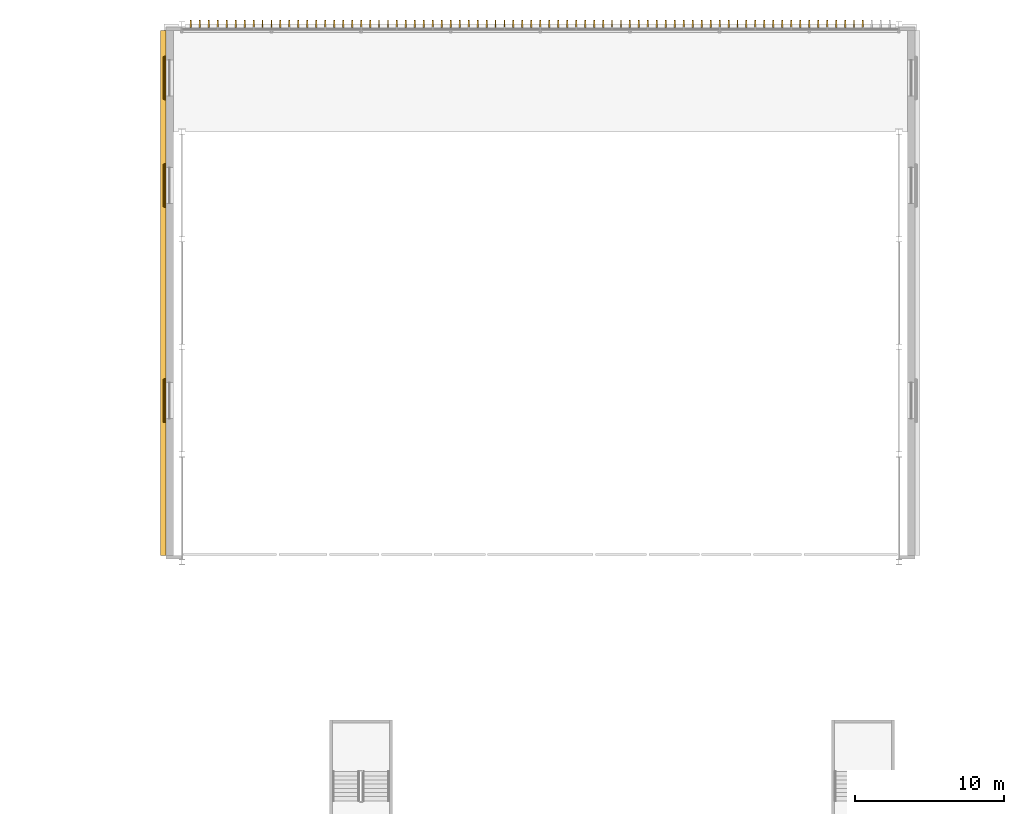
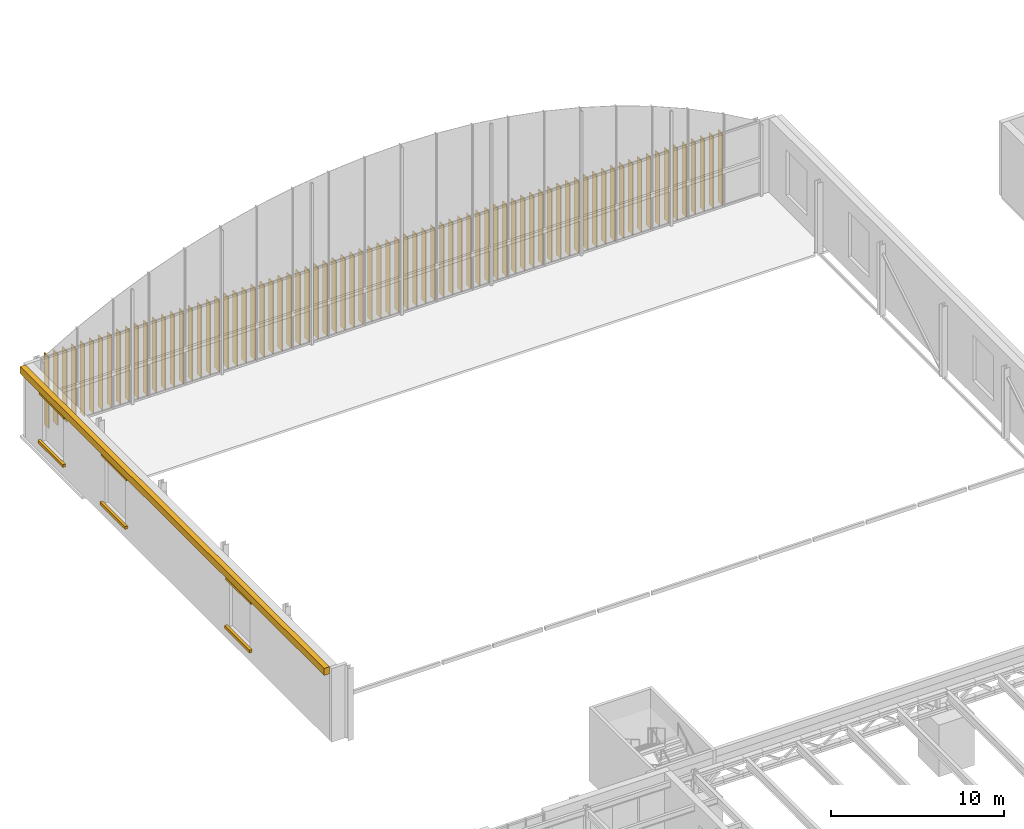
# One storey, part 85 of 93: 76 shading devices, 7 coverings.
"""IFC4 building model written with IfcOpenShell, lengths in metres."""

from ifc_helpers import new_model, si_unit, direction, frame, origin, origin_2d, place, context, subcontext, project, spatial, polyline, rectangle, outline, extrude, material, layer, layer_set, type_object, element, save


model = new_model("IFC4")

# Units and contexts
model_context = context("Model", 3, precision=1e-05, world=origin(), true_north=direction((0.0, 1.0)))
body_context = subcontext(model_context, "Body", "Model", "MODEL_VIEW")
ifc_project = project(units=[si_unit("LENGTHUNIT", "METRE"), si_unit("AREAUNIT", "SQUARE_METRE"), si_unit("VOLUMEUNIT", "CUBIC_METRE"), si_unit("PLANEANGLEUNIT", "RADIAN"), si_unit("MASSUNIT", "GRAM", prefix="KILO")], contexts=[model_context])

# Site, building, storey
site_placement = place(None, origin())
site = spatial("IfcSite", under=ifc_project, at=site_placement, CompositionType="ELEMENT")
building_placement = place(site_placement, origin())
building = spatial("IfcBuilding", under=site, at=building_placement, Name="Verrick Yard Athletic Hall", CompositionType="ELEMENT")
storey_placement = place(building_placement, frame((0.0, 0.0, 8.800048828125)))
storey = spatial("IfcBuildingStorey", under=building, at=storey_placement, Name="L02", CompositionType="ELEMENT", Elevation=8.800048828125)

# Shading devices
ifc_material_1 = material(Name="Anodised aluminium", Category="aluminium")
ifc_layer_1 = layer(ifc_material_1, 0.0625)
ifc_layer_set_1 = layer_set([ifc_layer_1], Name="Hall facade fin")
shading_device_type = type_object("IfcShadingDeviceType", Name="Hall facade fin", PredefinedType="USERDEFINED", material=ifc_layer_set_1)
for number, where, z_axis, x_axis, name in (
    (1, (28.60009765625, 107.78173828125, 0.0), (0.0, 0.0, 1.0), (0.0, 1.0, 0.0), "ENVB-HBN-FIN00"),
    (2, (29.199951171875, 107.78173828125, 0.0), (0.0, 0.0, 1.0), (0.0, 1.0, 0.0), "ENVB-HBN-FIN01"),
    (3, (29.800048828125, 107.78173828125, 0.0), (0.0, 0.0, 1.0), (0.0, 1.0, 0.0), "ENVB-HBN-FIN02"),
    (4, (30.39990234375, 107.78173828125, 0.0), (0.0, 0.0, 1.0), (0.0, 1.0, 0.0), "ENVB-HBN-FIN03"),
    (5, (31.0, 107.78173828125, 0.0), (0.0, 0.0, 1.0), (0.0, 1.0, 0.0), "ENVB-HBN-FIN04"),
    (6, (31.60009765625, 107.78173828125, 0.0), (0.0, 0.0, 1.0), (0.0, 1.0, 0.0), "ENVB-HBN-FIN05"),
    (7, (32.199951171875, 107.78173828125, 0.0), (0.0, 0.0, 1.0), (0.0, 1.0, 0.0), "ENVB-HBN-FIN06"),
    (8, (32.800048828125, 107.78173828125, 0.0), (0.0, 0.0, 1.0), (0.0, 1.0, 0.0), "ENVB-HBN-FIN07"),
    (9, (33.39990234375, 107.78173828125, 0.0), (0.0, 0.0, 1.0), (0.0, 1.0, 0.0), "ENVB-HBN-FIN08"),
    (10, (34.0, 107.78173828125, 0.0), (0.0, 0.0, 1.0), (0.0, 1.0, 0.0), "ENVB-HBN-FIN09"),
    (11, (34.60009765625, 107.78173828125, 0.0), (0.0, 0.0, 1.0), (0.0, 1.0, 0.0), "ENVB-HBN-FIN10"),
    (12, (35.199951171875, 107.78173828125, 0.0), (0.0, 0.0, 1.0), (0.0, 1.0, 0.0), "ENVB-HBN-FIN11"),
    (13, (35.800048828125, 107.78173828125, 0.0), (0.0, 0.0, 1.0), (0.0, 1.0, 0.0), "ENVB-HBN-FIN12"),
    (14, (36.39990234375, 107.78173828125, 0.0), (0.0, 0.0, 1.0), (0.0, 1.0, 0.0), "ENVB-HBN-FIN13"),
    (15, (37.0, 107.78173828125, 0.0), (0.0, 0.0, 1.0), (0.0, 1.0, 0.0), "ENVB-HBN-FIN14"),
    (16, (37.60009765625, 107.78173828125, 0.0), (0.0, 0.0, 1.0), (0.0, 1.0, 0.0), "ENVB-HBN-FIN15"),
    (17, (38.199951171875, 107.78173828125, 0.0), (0.0, 0.0, 1.0), (0.0, 1.0, 0.0), "ENVB-HBN-FIN16"),
    (18, (38.800048828125, 107.78173828125, 0.0), (0.0, 0.0, 1.0), (0.0, 1.0, 0.0), "ENVB-HBN-FIN17"),
    (19, (39.39990234375, 107.78173828125, 0.0), (0.0, 0.0, 1.0), (0.0, 1.0, 0.0), "ENVB-HBN-FIN18"),
    (20, (40.0, 107.78173828125, 0.0), (0.0, 0.0, 1.0), (0.0, 1.0, 0.0), "ENVB-HBN-FIN19"),
    (21, (40.60009765625, 107.78173828125, 0.0), (0.0, 0.0, 1.0), (0.0, 1.0, 0.0), "ENVB-HBN-FIN20"),
    (22, (41.199951171875, 107.78173828125, 0.0), (0.0, 0.0, 1.0), (0.0, 1.0, 0.0), "ENVB-HBN-FIN21"),
    (23, (41.800048828125, 107.78173828125, 0.0), (0.0, 0.0, 1.0), (0.0, 1.0, 0.0), "ENVB-HBN-FIN22"),
    (24, (42.39990234375, 107.78173828125, 0.0), (0.0, 0.0, 1.0), (0.0, 1.0, 0.0), "ENVB-HBN-FIN23"),
    (25, (43.0, 107.78173828125, 0.0), (0.0, 0.0, 1.0), (0.0, 1.0, 0.0), "ENVB-HBN-FIN24"),
    (26, (43.60009765625, 107.78173828125, 0.0), (0.0, 0.0, 1.0), (0.0, 1.0, 0.0), "ENVB-HBN-FIN25"),
    (27, (44.199951171875, 107.78173828125, 0.0), (0.0, 0.0, 1.0), (0.0, 1.0, 0.0), "ENVB-HBN-FIN26"),
    (28, (44.800048828125, 107.78173828125, 0.0), (0.0, 0.0, 1.0), (0.0, 1.0, 0.0), "ENVB-HBN-FIN27"),
    (29, (45.39990234375, 107.78173828125, 0.0), (0.0, 0.0, 1.0), (0.0, 1.0, 0.0), "ENVB-HBN-FIN28"),
    (30, (46.0, 107.78173828125, 0.0), (0.0, 0.0, 1.0), (0.0, 1.0, 0.0), "ENVB-HBN-FIN29"),
    (31, (46.60009765625, 107.78173828125, 0.0), (0.0, 0.0, 1.0), (0.0, 1.0, 0.0), "ENVB-HBN-FIN30"),
    (32, (47.199951171875, 107.78173828125, 0.0), (0.0, 0.0, 1.0), (0.0, 1.0, 0.0), "ENVB-HBN-FIN31"),
    (33, (47.800048828125, 107.78173828125, 0.0), (0.0, 0.0, 1.0), (0.0, 1.0, 0.0), "ENVB-HBN-FIN32"),
    (34, (48.39990234375, 107.78173828125, 0.0), (0.0, 0.0, 1.0), (0.0, 1.0, 0.0), "ENVB-HBN-FIN33"),
    (35, (49.0, 107.78173828125, 0.0), (0.0, 0.0, 1.0), (0.0, 1.0, 0.0), "ENVB-HBN-FIN34"),
    (36, (49.60009765625, 107.78173828125, 0.0), (0.0, 0.0, 1.0), (0.0, 1.0, 0.0), "ENVB-HBN-FIN35"),
    (37, (50.199951171875, 107.78173828125, 0.0), (0.0, 0.0, 1.0), (0.0, 1.0, 0.0), "ENVB-HBN-FIN36"),
    (38, (50.800048828125, 107.78173828125, 0.0), (0.0, 0.0, 1.0), (0.0, 1.0, 0.0), "ENVB-HBN-FIN37"),
    (39, (51.39990234375, 107.78173828125, 0.0), (0.0, 0.0, 1.0), (0.0, 1.0, 0.0), "ENVB-HBN-FIN38"),
    (40, (52.0, 107.78173828125, 0.0), (0.0, 0.0, 1.0), (0.0, 1.0, 0.0), "ENVB-HBN-FIN39"),
    (41, (52.60009765625, 107.78173828125, 0.0), (0.0, 0.0, 1.0), (0.0, 1.0, 0.0), "ENVB-HBN-FIN40"),
    (42, (53.199951171875, 107.78173828125, 0.0), (0.0, 0.0, 1.0), (0.0, 1.0, 0.0), "ENVB-HBN-FIN41"),
    (43, (53.800048828125, 107.78173828125, 0.0), (0.0, 0.0, 1.0), (0.0, 1.0, 0.0), "ENVB-HBN-FIN42"),
    (44, (54.39990234375, 107.78173828125, 0.0), (0.0, 0.0, 1.0), (0.0, 1.0, 0.0), "ENVB-HBN-FIN43"),
    (45, (55.0, 107.78173828125, 0.0), (0.0, 0.0, 1.0), (0.0, 1.0, 0.0), "ENVB-HBN-FIN44"),
    (46, (55.60009765625, 107.78173828125, 0.0), (0.0, 0.0, 1.0), (0.0, 1.0, 0.0), "ENVB-HBN-FIN45"),
    (47, (56.199951171875, 107.78173828125, 0.0), (0.0, 0.0, 1.0), (0.0, 1.0, 0.0), "ENVB-HBN-FIN46"),
    (48, (56.800048828125, 107.78173828125, 0.0), (0.0, 0.0, 1.0), (0.0, 1.0, 0.0), "ENVB-HBN-FIN47"),
    (49, (57.39990234375, 107.78173828125, 0.0), (0.0, 0.0, 1.0), (0.0, 1.0, 0.0), "ENVB-HBN-FIN48"),
    (50, (58.0, 107.78173828125, 0.0), (0.0, 0.0, 1.0), (0.0, 1.0, 0.0), "ENVB-HBN-FIN49"),
    (51, (58.60009765625, 107.78173828125, 0.0), (0.0, 0.0, 1.0), (0.0, 1.0, 0.0), "ENVB-HBN-FIN50"),
    (52, (59.199951171875, 107.78173828125, 0.0), (0.0, 0.0, 1.0), (0.0, 1.0, 0.0), "ENVB-HBN-FIN51"),
    (53, (59.800048828125, 107.78173828125, 0.0), (0.0, 0.0, 1.0), (0.0, 1.0, 0.0), "ENVB-HBN-FIN52"),
    (54, (60.39990234375, 107.78173828125, 0.0), (0.0, 0.0, 1.0), (0.0, 1.0, 0.0), "ENVB-HBN-FIN53"),
    (55, (61.0, 107.78173828125, 0.0), (0.0, 0.0, 1.0), (0.0, 1.0, 0.0), "ENVB-HBN-FIN54"),
    (56, (61.60009765625, 107.78173828125, 0.0), (0.0, 0.0, 1.0), (0.0, 1.0, 0.0), "ENVB-HBN-FIN55"),
    (57, (62.199951171875, 107.78173828125, 0.0), (0.0, 0.0, 1.0), (0.0, 1.0, 0.0), "ENVB-HBN-FIN56"),
    (58, (62.800048828125, 107.78173828125, 0.0), (0.0, 0.0, 1.0), (0.0, 1.0, 0.0), "ENVB-HBN-FIN57"),
    (59, (63.39990234375, 107.78173828125, 0.0), (0.0, 0.0, 1.0), (0.0, 1.0, 0.0), "ENVB-HBN-FIN58"),
    (60, (64.0, 107.78173828125, 0.0), (0.0, 0.0, 1.0), (0.0, 1.0, 0.0), "ENVB-HBN-FIN59"),
    (61, (64.60009765625, 107.78173828125, 0.0), (0.0, 0.0, 1.0), (0.0, 1.0, 0.0), "ENVB-HBN-FIN60"),
    (62, (65.199951171875, 107.78173828125, 0.0), (0.0, 0.0, 1.0), (0.0, 1.0, 0.0), "ENVB-HBN-FIN61"),
    (63, (65.800048828125, 107.78173828125, 0.0), (0.0, 0.0, 1.0), (0.0, 1.0, 0.0), "ENVB-HBN-FIN62"),
    (64, (66.39990234375, 107.78173828125, 0.0), (0.0, 0.0, 1.0), (0.0, 1.0, 0.0), "ENVB-HBN-FIN63"),
    (65, (67.0, 107.78173828125, 0.0), (0.0, 0.0, 1.0), (0.0, 1.0, 0.0), "ENVB-HBN-FIN64"),
    (66, (67.60009765625, 107.78173828125, 0.0), (0.0, 0.0, 1.0), (0.0, 1.0, 0.0), "ENVB-HBN-FIN65"),
    (67, (68.199951171875, 107.78173828125, 0.0), (0.0, 0.0, 1.0), (0.0, 1.0, 0.0), "ENVB-HBN-FIN66"),
    (68, (68.800048828125, 107.78173828125, 0.0), (0.0, 0.0, 1.0), (0.0, 1.0, 0.0), "ENVB-HBN-FIN67"),
    (69, (69.39990234375, 107.78173828125, 0.0), (0.0, 0.0, 1.0), (0.0, 1.0, 0.0), "ENVB-HBN-FIN68"),
    (70, (70.0, 107.78173828125, 0.0), (0.0, 0.0, 1.0), (0.0, 1.0, 0.0), "ENVB-HBN-FIN69"),
    (71, (70.60009765625, 107.78173828125, 0.0), (0.0, 0.0, 1.0), (0.0, 1.0, 0.0), "ENVB-HBN-FIN70"),
    (72, (71.199951171875, 107.78173828125, 0.0), (0.0, 0.0, 1.0), (0.0, 1.0, 0.0), "ENVB-HBN-FIN71"),
    (73, (71.800048828125, 107.78173828125, 0.0), (0.0, 0.0, 1.0), (0.0, 1.0, 0.0), "ENVB-HBN-FIN72"),
    (74, (72.39990234375, 107.78173828125, 0.0), (0.0, 0.0, 1.0), (0.0, 1.0, 0.0), "ENVB-HBN-FIN73"),
    (75, (73.0, 107.78173828125, 0.0), (0.0, 0.0, 1.0), (0.0, 1.0, 0.0), "ENVB-HBN-FIN74"),
    (76, (73.60009765625, 107.78173828125, 0.0), (0.0, 0.0, 1.0), (0.0, 1.0, 0.0), "ENVB-HBN-FIN75"),
):
    element("IfcShadingDevice", number, at=place(storey_placement, frame(where, z_axis=z_axis, x_axis=x_axis)), inside=storey, type_object=shading_device_type, Name=name, ObjectType="FIN", PredefinedType="USERDEFINED", context=body_context, shape_type="SweptSolid", body=[
        extrude(outline(polyline([(0.0, 0.0), (0.5, 0.0), (0.5, 5.050048828125), (0.0, 5.050048828125), (0.0, 0.0)])), frame((0.0, 0.03125, 0.0), z_axis=(0.0, -1.0, 0.0), x_axis=(1.0, 0.0, 0.0)), (0.0, 0.0, 1.0), 0.0625),
    ])

# Coverings
ifc_material_2 = material(Name="Tyndall-stone-look precast cladding", Category="masonry")
ifc_layer_2 = layer(ifc_material_2, 0.25)
ifc_layer_set_2 = layer_set([ifc_layer_2], Name="Stone moulding")
covering_type = type_object("IfcCoveringType", Name="Stone moulding", PredefinedType="MOLDING", material=ifc_layer_set_2)
covering_1_placement = place(storey_placement, frame((26.75, 90.0, 4.699951171875), z_axis=(0.0, 0.0, 1.0), x_axis=(0.0, 1.0, 0.0)))
element("IfcCovering", 77, at=covering_1_placement, inside=storey, type_object=covering_type, Name="Cornice", PredefinedType="MOLDING", context=body_context, shape_type="SweptSolid", body=[
    extrude(rectangle(XDim=35.163330078125, YDim=0.35009765625, at=origin_2d()), origin(), (0.0, 0.0, 1.0), 0.5),
])
covering_2_placement = place(storey_placement, frame((26.8349609375, 82.80078125, 0.7998046875), z_axis=(0.0, 0.0, 1.0), x_axis=(0.0, 1.0, 0.0)))
element("IfcCovering", 78, at=covering_2_placement, inside=storey, type_object=covering_type, Name="Window sill", PredefinedType="MOLDING", context=body_context, shape_type="SweptSolid", body=[
    extrude(rectangle(XDim=2.89990234375, YDim=0.179931640625, at=origin_2d()), origin(), (0.0, 0.0, 1.0), 0.199951171875),
])
covering_3_placement = place(storey_placement, frame((26.875, 82.80078125, 4.19970703125), z_axis=(0.0, 0.0, 1.0), x_axis=(0.0, 1.0, 0.0)))
element("IfcCovering", 79, at=covering_3_placement, inside=storey, type_object=covering_type, Name="Window head", PredefinedType="MOLDING", context=body_context, shape_type="SweptSolid", body=[
    extrude(rectangle(XDim=2.89990234375, YDim=0.10009765625, at=origin_2d()), origin(), (0.0, 0.0, 1.0), 0.300048828125),
])
covering_4_placement = place(storey_placement, frame((26.8349609375, 97.200927734375, 0.7998046875), z_axis=(0.0, 0.0, 1.0), x_axis=(0.0, 1.0, 0.0)))
element("IfcCovering", 80, at=covering_4_placement, inside=storey, type_object=covering_type, Name="Window sill", PredefinedType="MOLDING", context=body_context, shape_type="SweptSolid", body=[
    extrude(rectangle(XDim=2.89990234375, YDim=0.179931640625, at=origin_2d()), origin(), (0.0, 0.0, 1.0), 0.199951171875),
])
covering_5_placement = place(storey_placement, frame((26.875, 97.200927734375, 4.19970703125), z_axis=(0.0, 0.0, 1.0), x_axis=(0.0, 1.0, 0.0)))
element("IfcCovering", 81, at=covering_5_placement, inside=storey, type_object=covering_type, Name="Window head", PredefinedType="MOLDING", context=body_context, shape_type="SweptSolid", body=[
    extrude(rectangle(XDim=2.89990234375, YDim=0.10009765625, at=origin_2d()), origin(), (0.0, 0.0, 1.0), 0.300048828125),
])
covering_6_placement = place(storey_placement, frame((26.8349609375, 104.40087890625, 0.7998046875), z_axis=(0.0, 0.0, 1.0), x_axis=(0.0, 1.0, 0.0)))
element("IfcCovering", 82, at=covering_6_placement, inside=storey, type_object=covering_type, Name="Window sill", PredefinedType="MOLDING", context=body_context, shape_type="SweptSolid", body=[
    extrude(rectangle(XDim=2.89990234375, YDim=0.179931640625, at=origin_2d()), origin(), (0.0, 0.0, 1.0), 0.199951171875),
])
covering_7_placement = place(storey_placement, frame((26.875, 104.40087890625, 4.19970703125), z_axis=(0.0, 0.0, 1.0), x_axis=(0.0, 1.0, 0.0)))
element("IfcCovering", 83, at=covering_7_placement, inside=storey, type_object=covering_type, Name="Window head", PredefinedType="MOLDING", context=body_context, shape_type="SweptSolid", body=[
    extrude(rectangle(XDim=2.89990234375, YDim=0.10009765625, at=origin_2d()), origin(), (0.0, 0.0, 1.0), 0.300048828125),
])

save(model, "model.ifc")
